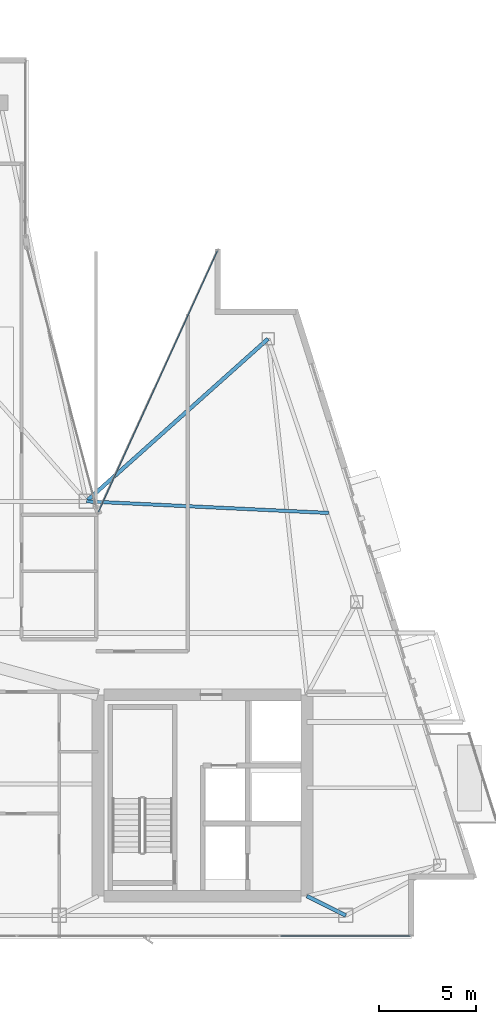
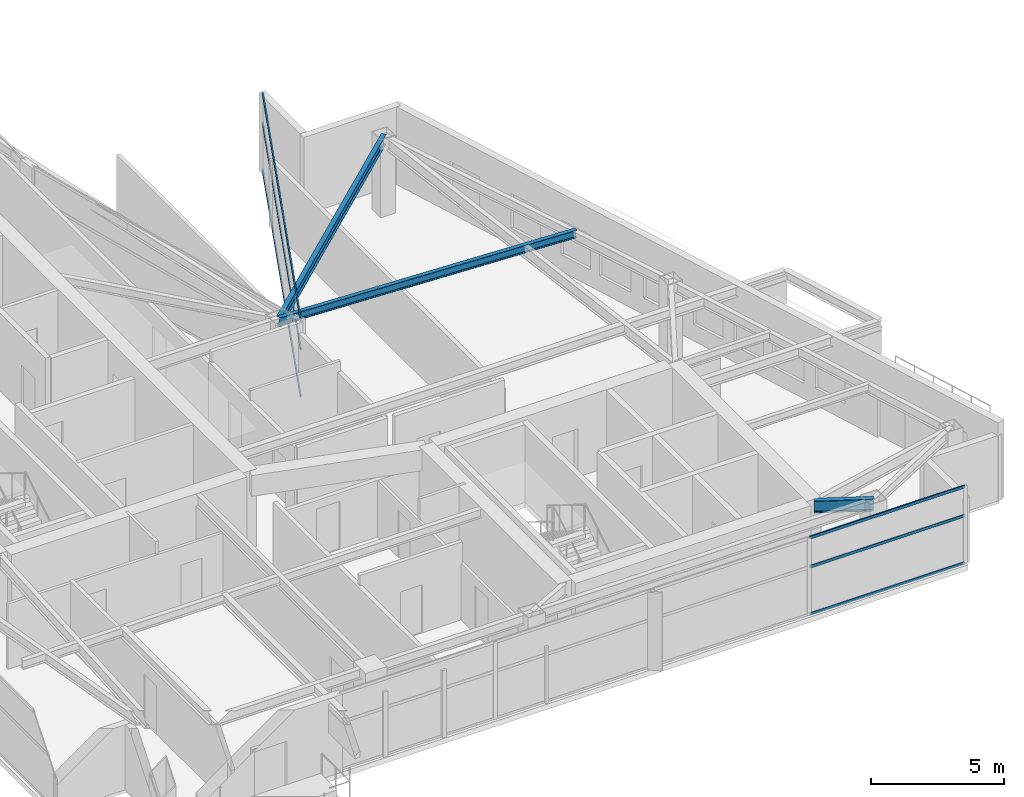
# One storey, part 13 of 27: 6 members, 3 beams, 2 elements without a shape of their own.
"""IFC4 building model written with IfcOpenShell, lengths in metres."""

from ifc_helpers import new_model, si_unit, direction, frame, origin, origin_2d, place, context, subcontext, project, spatial, hollow_rectangle, i_section, extrude, material, layer, layer_set, material_profile, profile_set, type_object, element, aggregate, save


model = new_model("IFC4")

# Units and contexts
model_context = context("Model", 3, precision=1e-05, world=origin(), true_north=direction((0.0, 1.0)))
body_context = subcontext(model_context, "Body", "Model", "MODEL_VIEW")
ifc_project = project(units=[si_unit("LENGTHUNIT", "METRE"), si_unit("AREAUNIT", "SQUARE_METRE"), si_unit("VOLUMEUNIT", "CUBIC_METRE"), si_unit("PLANEANGLEUNIT", "RADIAN"), si_unit("MASSUNIT", "GRAM", prefix="KILO")], contexts=[model_context])

# Site, building, storey
site_placement = place(None, origin())
site = spatial("IfcSite", under=ifc_project, at=site_placement, CompositionType="ELEMENT")
building_placement = place(site_placement, origin())
building = spatial("IfcBuilding", under=site, at=building_placement, Name="Calvorn Quay Hotel", CompositionType="ELEMENT")
storey_placement = place(building_placement, frame((0.0, 0.0, 291.10009765625)))
storey = spatial("IfcBuildingStorey", under=building, at=storey_placement, Name="L72", CompositionType="ELEMENT", Elevation=291.10009765625)

# Beams
ifc_material_1 = material(Name="Steel Q355B", Category="steel")
ifc_material_profile_1 = material_profile(ifc_material_1, i_section(OverallWidth=0.199951171875, OverallDepth=0.550048828125, WebThickness=0.010009765625, FlangeThickness=0.01611328125, FilletRadius=0.01806640625, at=origin_2d()), Name="HN550x200x10x16")
ifc_profile_set_1 = profile_set([ifc_material_profile_1], Name="Steel Q355B")
beam_type_1 = type_object("IfcBeamType", Name="BM-GIRD-UPP", PredefinedType="BEAM", material=ifc_profile_set_1)
beam_1_placement = place(storey_placement, frame((34.39990234375, 3.60009765625, 3.264892578125), z_axis=(-0.894427191, 0.4472135955, 0.0), x_axis=(-0.4472135955, -0.894427191, 0.0)))
element("IfcBeam", 1, at=beam_1_placement, inside=storey, type_object=beam_type_1, Name="Beam BG-L72-S3", PredefinedType="BEAM", context=body_context, shape_type="SweptSolid", body=[
    extrude(i_section(OverallWidth=0.199951171875, OverallDepth=0.550048828125, WebThickness=0.010009765625, FlangeThickness=0.01611328125, FilletRadius=0.01806640625, at=origin_2d()), origin(), (0.0, 0.0, 1.0), 2.236083984375),
])
ifc_material_2 = material(Name="Steel Q355B", Category="steel")
ifc_material_profile_2 = material_profile(ifc_material_2, i_section(OverallWidth=0.175048828125, OverallDepth=0.35009765625, WebThickness=0.007080078125, FlangeThickness=0.010986328125, FilletRadius=0.013916015625, at=origin_2d()), Name="HN350x175x7x11")
ifc_profile_set_2 = profile_set([ifc_material_profile_2], Name="Steel Q355B")
beam_type_2 = type_object("IfcBeamType", Name="BM-JOIST-SEC", PredefinedType="JOIST", material=ifc_profile_set_2)
beam_2_placement = place(storey_placement, frame((21.0, 25.0, 3.364990234375), z_axis=(0.998854576396, -0.047849087891, 0.0), x_axis=(0.047849087891, 0.998854576396, 0.0)))
element("IfcBeam", 2, at=beam_2_placement, inside=storey, type_object=beam_type_2, Name="Beam BJ-L72-E3", PredefinedType="JOIST", context=body_context, shape_type="SweptSolid", body=[
    extrude(i_section(OverallWidth=0.175048828125, OverallDepth=0.35009765625, WebThickness=0.007080078125, FlangeThickness=0.010986328125, FilletRadius=0.013916015625, at=origin_2d()), origin(), (0.0, 0.0, 1.0), 12.54150390625),
])
ifc_material_3 = material(Name="Steel Q355B", Category="steel")
ifc_material_profile_3 = material_profile(ifc_material_3, i_section(OverallWidth=0.199951171875, OverallDepth=0.449951171875, WebThickness=0.009033203125, FlangeThickness=0.013916015625, FilletRadius=0.01611328125, at=origin_2d()), Name="HN450x200x9x14")
ifc_profile_set_3 = profile_set([ifc_material_profile_3], Name="Steel Q355B")
beam_type_3 = type_object("IfcBeamType", Name="BM-SPANDREL-Z3", PredefinedType="SPANDREL", material=ifc_profile_set_3)
beam_3_placement = place(storey_placement, frame((30.39111328125, 33.39990234375, 3.31494140625), z_axis=(-0.745346713825, -0.666677040396, 0.0), x_axis=(0.666677040396, -0.745346713825, 0.0)))
element("IfcBeam", 3, at=beam_3_placement, inside=storey, type_object=beam_type_3, Name="Beam BSP-L72-E3", PredefinedType="SPANDREL", context=body_context, shape_type="SweptSolid", body=[
    extrude(i_section(OverallWidth=0.199951171875, OverallDepth=0.449951171875, WebThickness=0.009033203125, FlangeThickness=0.013916015625, FilletRadius=0.01611328125, at=origin_2d()), origin(), (0.0, 0.0, 1.0), 12.599609375),
])

# Curtain wall, members
ifc_material_4 = material(Name="Champagne Bronze Anodised Aluminium and Low-E Glass", Category="aluminium")
ifc_layer = layer(ifc_material_4, 0.219970703125)
ifc_layer_set = layer_set([ifc_layer], Name="CW-SYS-Z4")
curtain_wall_type = type_object("IfcCurtainWallType", Name="CW-SYS-Z4", PredefinedType="NOTDEFINED", material=ifc_layer_set)
curtain_wall_1_placement = place(storey_placement, origin())
curtain_wall_1 = element("IfcCurtainWall", 4, at=curtain_wall_1_placement, inside=storey, type_object=curtain_wall_type, Name="Tower South Waterfront Curtain Wall (L72)", PredefinedType="NOTDEFINED")
ifc_material_5 = material(Name="Champagne Bronze Anodised Aluminium 6063-T6", Category="aluminium")
ifc_material_profile_4 = material_profile(ifc_material_5, hollow_rectangle(XDim=0.054931640625, YDim=0.1298828125, WallThickness=0.003173828125, at=origin_2d()), Name="ALU-T130x55x3.2")
ifc_profile_set_4 = profile_set([ifc_material_profile_4], Name="Champagne Bronze Anodised Aluminium 6063-T6")
member_type = type_object("IfcMemberType", Name="CW-SYS-Z4-TRN", PredefinedType="USERDEFINED", material=ifc_profile_set_4)
member_1_placement = place(storey_placement, frame((31.030029296875, 2.550048828125, 0.02978515625), z_axis=(1.0, 0.0, 0.0), x_axis=(0.0, 1.0, 0.0)))
member_1 = element("IfcMember", 5, at=member_1_placement, type_object=member_type, Name="CW-L72-S transom 4.1", ObjectType="TRANSOM", PredefinedType="USERDEFINED", context=body_context, shape_type="SweptSolid", body=[
    extrude(hollow_rectangle(XDim=0.054931640625, YDim=0.1298828125, WallThickness=0.003173828125, at=origin_2d()), origin(), (0.0, 0.0, 1.0), 6.7099609375),
])
member_2_placement = place(storey_placement, frame((31.030029296875, 2.550048828125, 2.199951171875), z_axis=(1.0, 0.0, 0.0), x_axis=(0.0, 1.0, 0.0)))
member_2 = element("IfcMember", 6, at=member_2_placement, type_object=member_type, Name="CW-L72-S transom 4.2", ObjectType="TRANSOM", PredefinedType="USERDEFINED", context=body_context, shape_type="SweptSolid", body=[
    extrude(hollow_rectangle(XDim=0.054931640625, YDim=0.1298828125, WallThickness=0.003173828125, at=origin_2d()), origin(), (0.0, 0.0, 1.0), 6.7099609375),
])
member_3_placement = place(storey_placement, frame((31.030029296875, 2.550048828125, 3.52978515625), z_axis=(1.0, 0.0, 0.0), x_axis=(0.0, 1.0, 0.0)))
member_3 = element("IfcMember", 7, at=member_3_placement, type_object=member_type, Name="CW-L72-S transom 4.3", ObjectType="TRANSOM", PredefinedType="USERDEFINED", context=body_context, shape_type="SweptSolid", body=[
    extrude(hollow_rectangle(XDim=0.054931640625, YDim=0.1298828125, WallThickness=0.003173828125, at=origin_2d()), origin(), (0.0, 0.0, 1.0), 6.7099609375),
])
aggregate(curtain_wall_1, [member_1, member_2, member_3])

curtain_wall_2_placement = place(storey_placement, origin())
curtain_wall_2 = element("IfcCurtainWall", 8, at=curtain_wall_2_placement, inside=storey, type_object=curtain_wall_type, Name="Inner Court Curtain Wall L72-NE1", PredefinedType="NOTDEFINED")
member_4_placement = place(storey_placement, frame((27.775146484375, 37.9453125, 0.02978515625), z_axis=(-0.414808842845, -0.909908579967, 0.0), x_axis=(0.909908579967, -0.414808842845, 0.0)))
member_4 = element("IfcMember", 9, at=member_4_placement, type_object=member_type, Name="CW-L72-NE1 transom 1.1", ObjectType="TRANSOM", PredefinedType="USERDEFINED", context=body_context, shape_type="SweptSolid", body=[
    extrude(hollow_rectangle(XDim=0.054931640625, YDim=0.1298828125, WallThickness=0.003173828125, at=origin_2d()), origin(), (0.0, 0.0, 1.0), 14.826416015625),
])
member_5_placement = place(storey_placement, frame((27.775146484375, 37.9453125, 2.199951171875), z_axis=(-0.414808842845, -0.909908579967, 0.0), x_axis=(0.909908579967, -0.414808842845, 0.0)))
member_5 = element("IfcMember", 10, at=member_5_placement, type_object=member_type, Name="CW-L72-NE1 transom 1.2", ObjectType="TRANSOM", PredefinedType="USERDEFINED", context=body_context, shape_type="SweptSolid", body=[
    extrude(hollow_rectangle(XDim=0.054931640625, YDim=0.1298828125, WallThickness=0.003173828125, at=origin_2d()), origin(), (0.0, 0.0, 1.0), 14.826416015625),
])
member_6_placement = place(storey_placement, frame((27.775146484375, 37.9453125, 3.52978515625), z_axis=(-0.414808842845, -0.909908579967, 0.0), x_axis=(0.909908579967, -0.414808842845, 0.0)))
member_6 = element("IfcMember", 11, at=member_6_placement, type_object=member_type, Name="CW-L72-NE1 transom 1.3", ObjectType="TRANSOM", PredefinedType="USERDEFINED", context=body_context, shape_type="SweptSolid", body=[
    extrude(hollow_rectangle(XDim=0.054931640625, YDim=0.1298828125, WallThickness=0.003173828125, at=origin_2d()), origin(), (0.0, 0.0, 1.0), 14.826416015625),
])
aggregate(curtain_wall_2, [member_4, member_5, member_6])

save(model, "model.ifc")
